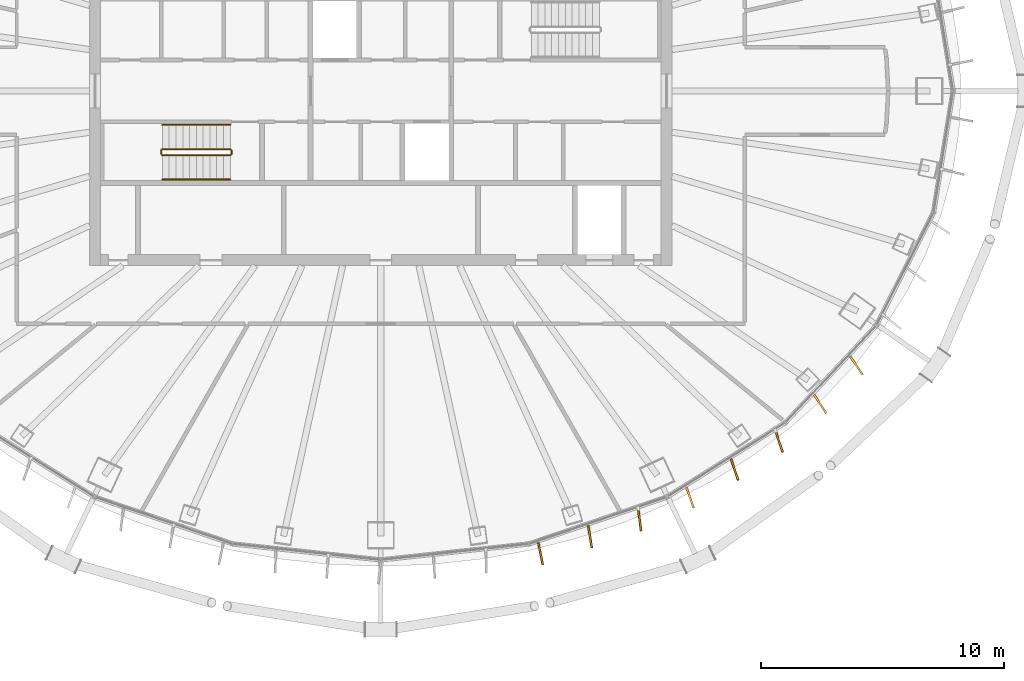
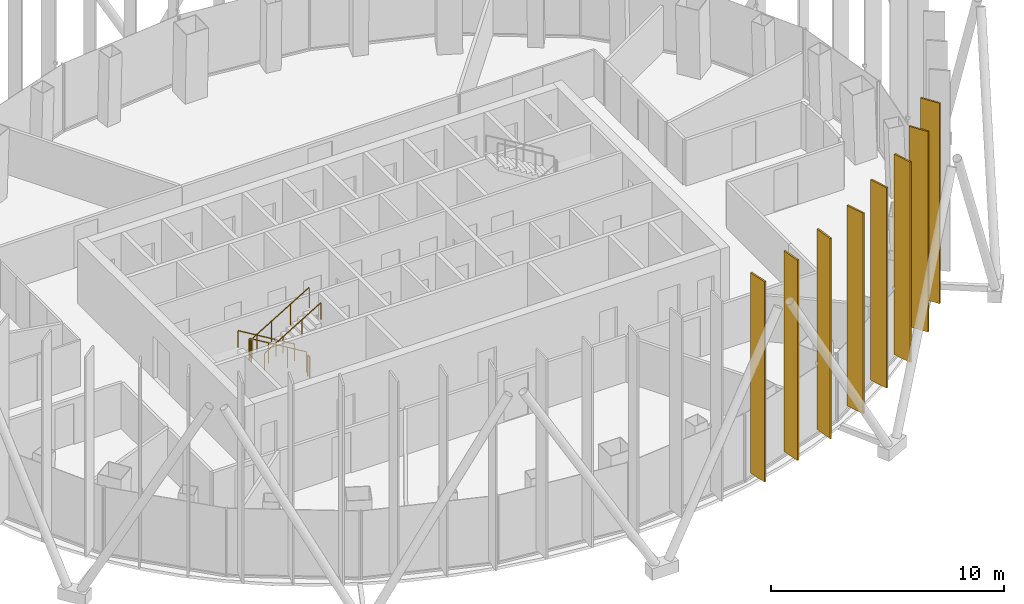
# One storey, part 17 of 19: 8 shading devices, 6 railings.
"""IFC4 building model written with IfcOpenShell, lengths in metres."""

from ifc_helpers import new_model, si_unit, direction, frame, origin, origin_2d, place, context, subcontext, project, spatial, rectangle, circle, extrude, material, layer, layer_set, type_object, element, save


model = new_model("IFC4")

# Units and contexts
model_context = context("Model", 3, precision=1e-05, world=origin(), true_north=direction((0.0, 1.0)))
body_context = subcontext(model_context, "Body", "Model", "MODEL_VIEW")
ifc_project = project(units=[si_unit("LENGTHUNIT", "METRE"), si_unit("AREAUNIT", "SQUARE_METRE"), si_unit("VOLUMEUNIT", "CUBIC_METRE"), si_unit("PLANEANGLEUNIT", "RADIAN"), si_unit("MASSUNIT", "GRAM", prefix="KILO")], contexts=[model_context])

# Site, building, storey
site_placement = place(None, origin())
site = spatial("IfcSite", under=ifc_project, at=site_placement, CompositionType="ELEMENT")
building_placement = place(site_placement, origin())
building = spatial("IfcBuilding", under=site, at=building_placement, Name="Siaravel Broadcast Tower", CompositionType="ELEMENT")
storey_placement = place(building_placement, frame((0.0, 0.0, 168.199951171875)))
storey = spatial("IfcBuildingStorey", under=building, at=storey_placement, Name="L40", CompositionType="ELEMENT", Elevation=168.199951171875)

# Shading devices
ifc_material_1 = material(Name="Bronze anodised aluminium", Category="aluminium")
ifc_layer = layer(ifc_material_1, 0.080078125)
ifc_layer_set = layer_set([ifc_layer], Name="Bronze anodised aluminium")
shading_device_type = type_object("IfcShadingDeviceType", Name="Bronze fin zone 3", PredefinedType="USERDEFINED", material=ifc_layer_set)
for number, where, z_axis, x_axis, name in (
    (1, (6.578857421875, -19.06640625, 0.300048828125), (0.0, 0.0, 1.0), (0.196793261, -0.980445007, 0.0), "Bronze fin L40-50"),
    (2, (8.6201171875, -18.371337890625, 0.300048828125), (0.0, 0.0, 1.0), (0.160613367, -0.987017399, 0.0), "Bronze fin L40-51"),
    (3, (10.663818359375, -17.67529296875, 0.300048828125), (0.0, 0.0, 1.0), (0.130000133, -0.991513976, 0.0), "Bronze fin L40-52"),
    (4, (12.74169921875, -16.75732421875, 0.300048828125), (0.0, 0.0, 1.0), (0.333879248, -0.942615854, 0.0), "Bronze fin L40-53"),
    (5, (14.57421875, -15.603271484375, 0.300048828125), (0.0, 0.0, 1.0), (0.318474596, -0.947931396, 0.0), "Bronze fin L40-54"),
    (6, (16.410888671875, -14.447998046875, 0.300048828125), (0.0, 0.0, 1.0), (0.311786064, -0.95015233, 0.0), "Bronze fin L40-55"),
    (7, (18.1044921875, -12.9013671875, 0.300048828125), (0.0, 0.0, 1.0), (0.545228794, -0.838287279, 0.0), "Bronze fin L40-56"),
    (8, (19.59521484375, -11.312255859375, 0.300048828125), (0.0, 0.0, 1.0), (0.556160726, -0.831074754, 0.0), "Bronze fin L40-57"),
):
    element("IfcShadingDevice", number, at=place(storey_placement, frame(where, z_axis=z_axis, x_axis=x_axis)), inside=storey, type_object=shading_device_type, Name=name, ObjectType="FIN", PredefinedType="USERDEFINED", context=body_context, shape_type="SweptSolid", body=[
        extrude(rectangle(XDim=0.919921875, YDim=0.080078125, at=origin_2d()), origin(), (0.0, 0.0, 1.0), 10.5),
    ])

# Railings
ifc_material_2 = material(Name="Stainless steel 316L", Category="steel")
railing_type_1 = type_object("IfcRailingType", Name="Stair guard 1100", PredefinedType="GUARDRAIL", material=ifc_material_2)
railing_1_placement = place(storey_placement, frame((-6.199951171875, -2.39990234375, 0.168212890625)))
element("IfcRailing", 9, at=railing_1_placement, inside=storey, type_object=railing_type_1, Name="L40 ST-1 stair guard 1", PredefinedType="GUARDRAIL", context=body_context, shape_type="SweptSolid", body=[
    extrude(circle(Radius=0.02392578125, at=origin_2d()), frame((0.0, 0.0, 1.076171875), z_axis=(-0.857242211, 0.0, 0.514913383), x_axis=(0.0, -1.0, 0.0)), (0.0, 0.0, 1.0), 3.266357421875),
    extrude(circle(Radius=0.02099609375, at=origin_2d()), origin(), (0.0, 0.0, 1.0), 1.052001953125),
    extrude(circle(Radius=0.02099609375, at=origin_2d()), frame((-0.933349609375, 0.0, 0.560546875)), (0.0, 0.0, 1.0), 1.052001953125),
    extrude(circle(Radius=0.02099609375, at=origin_2d()), frame((-1.86669921875, 0.0, 1.121337890625)), (0.0, 0.0, 1.0), 1.052001953125),
    extrude(circle(Radius=0.02099609375, at=origin_2d()), frame((-2.800048828125, 0.0, 1.681884765625)), (0.0, 0.0, 1.0), 1.052001953125),
])
railing_2_placement = place(storey_placement, frame((-9.050048828125, -2.449951171875, 1.85009765625)))
element("IfcRailing", 10, at=railing_2_placement, inside=storey, type_object=railing_type_1, Name="L40 ST-1 stair guard 2", PredefinedType="GUARDRAIL", context=body_context, shape_type="SweptSolid", body=[
    extrude(circle(Radius=0.02392578125, at=origin_2d()), frame((0.0, 0.0, 1.076171875), z_axis=(0.0, -1.0, 0.0), x_axis=(1.0, 0.0, 0.0)), (0.0, 0.0, 1.0), 0.150146484375),
    extrude(circle(Radius=0.02099609375, at=origin_2d()), origin(), (0.0, 0.0, 1.0), 1.052001953125),
    extrude(circle(Radius=0.02099609375, at=origin_2d()), frame((0.0, -0.150146484375, 0.0)), (0.0, 0.0, 1.0), 1.052001953125),
])
railing_3_placement = place(storey_placement, frame((-9.0, -2.64990234375, 2.018310546875)))
element("IfcRailing", 11, at=railing_3_placement, inside=storey, type_object=railing_type_1, Name="L40 ST-1 stair guard 3", PredefinedType="GUARDRAIL", context=body_context, shape_type="SweptSolid", body=[
    extrude(circle(Radius=0.02392578125, at=origin_2d()), frame((0.0, 0.0, 1.076171875), z_axis=(0.857275203, 0.0, 0.514858453), x_axis=(0.0, 1.0, 0.0)), (0.0, 0.0, 1.0), 3.26611328125),
    extrude(circle(Radius=0.02099609375, at=origin_2d()), origin(), (0.0, 0.0, 1.0), 1.052001953125),
    extrude(circle(Radius=0.02099609375, at=origin_2d()), frame((0.933349609375, 0.0, 0.560546875)), (0.0, 0.0, 1.0), 1.052001953125),
    extrude(circle(Radius=0.02099609375, at=origin_2d()), frame((1.86669921875, 0.0, 1.12109375)), (0.0, 0.0, 1.0), 1.052001953125),
    extrude(circle(Radius=0.02099609375, at=origin_2d()), frame((2.800048828125, 0.0, 1.681640625)), (0.0, 0.0, 1.0), 1.052001953125),
])
railing_4_placement = place(storey_placement, frame((-6.14990234375, -2.449951171875, 0.0)))
element("IfcRailing", 12, at=railing_4_placement, inside=storey, type_object=railing_type_1, Name="L40 ST-1 stair guard 4", PredefinedType="GUARDRAIL", context=body_context, shape_type="SweptSolid", body=[
    extrude(circle(Radius=0.02392578125, at=origin_2d()), frame((0.0, 0.0, 1.076171875), z_axis=(0.0, -1.0, 0.0), x_axis=(1.0, 0.0, 0.0)), (0.0, 0.0, 1.0), 0.150146484375),
    extrude(circle(Radius=0.02099609375, at=origin_2d()), origin(), (0.0, 0.0, 1.0), 1.052001953125),
    extrude(circle(Radius=0.02099609375, at=origin_2d()), frame((0.0, -0.150146484375, 0.0)), (0.0, 0.0, 1.0), 1.052001953125),
])
railing_type_2 = type_object("IfcRailingType", Name="Stair handrail 900", PredefinedType="HANDRAIL", material=ifc_material_2)
railing_5_placement = place(storey_placement, frame((-6.199951171875, -1.39990234375, 0.168212890625)))
element("IfcRailing", 13, at=railing_5_placement, inside=storey, type_object=railing_type_2, Name="L40 ST-1 stair handrail 1", PredefinedType="HANDRAIL", context=body_context, shape_type="SweptSolid", body=[
    extrude(circle(Radius=0.02392578125, at=origin_2d()), frame((0.0, 0.0, 0.8759765625), z_axis=(-0.857242211, 0.0, 0.514913383), x_axis=(0.0, -1.0, 0.0)), (0.0, 0.0, 1.0), 3.266357421875),
    extrude(circle(Radius=0.02099609375, at=origin_2d()), origin(), (0.0, 0.0, 1.0), 0.851806640625),
    extrude(circle(Radius=0.02099609375, at=origin_2d()), frame((-0.933349609375, 0.0, 0.560546875)), (0.0, 0.0, 1.0), 0.851806640625),
    extrude(circle(Radius=0.02099609375, at=origin_2d()), frame((-1.86669921875, 0.0, 1.121337890625)), (0.0, 0.0, 1.0), 0.851806640625),
    extrude(circle(Radius=0.02099609375, at=origin_2d()), frame((-2.800048828125, 0.0, 1.681884765625)), (0.0, 0.0, 1.0), 0.851806640625),
])
railing_6_placement = place(storey_placement, frame((-9.0, -3.64990234375, 2.018310546875)))
element("IfcRailing", 14, at=railing_6_placement, inside=storey, type_object=railing_type_2, Name="L40 ST-1 stair handrail 2", PredefinedType="HANDRAIL", context=body_context, shape_type="SweptSolid", body=[
    extrude(circle(Radius=0.02392578125, at=origin_2d()), frame((0.0, 0.0, 0.8759765625), z_axis=(0.857275203, 0.0, 0.514858453), x_axis=(0.0, 1.0, 0.0)), (0.0, 0.0, 1.0), 3.26611328125),
    extrude(circle(Radius=0.02099609375, at=origin_2d()), origin(), (0.0, 0.0, 1.0), 0.851806640625),
    extrude(circle(Radius=0.02099609375, at=origin_2d()), frame((0.933349609375, 0.0, 0.560546875)), (0.0, 0.0, 1.0), 0.851806640625),
    extrude(circle(Radius=0.02099609375, at=origin_2d()), frame((1.86669921875, 0.0, 1.12109375)), (0.0, 0.0, 1.0), 0.851806640625),
    extrude(circle(Radius=0.02099609375, at=origin_2d()), frame((2.800048828125, 0.0, 1.681640625)), (0.0, 0.0, 1.0), 0.851806640625),
])

save(model, "model.ifc")
